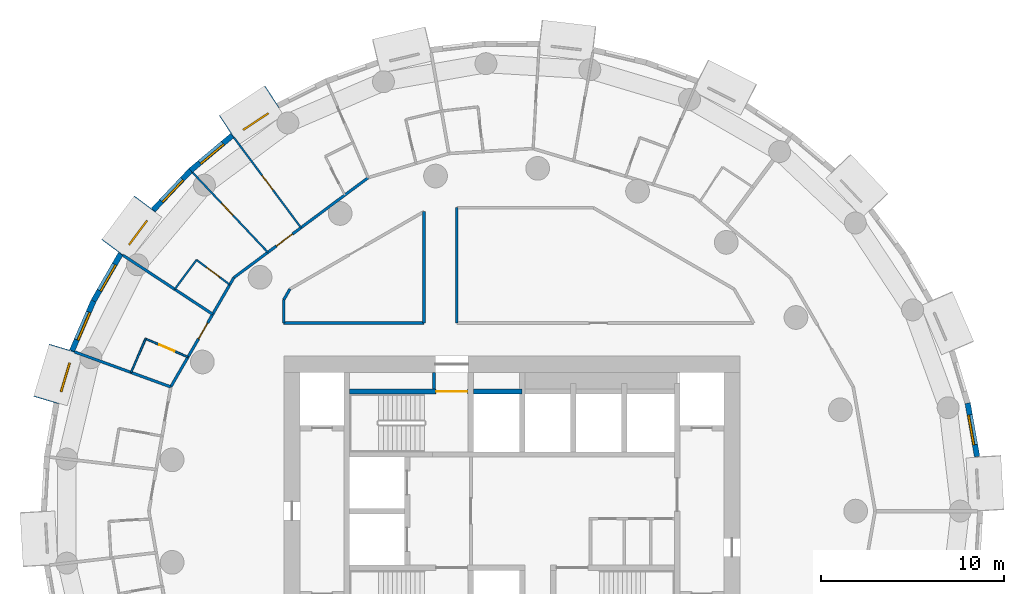
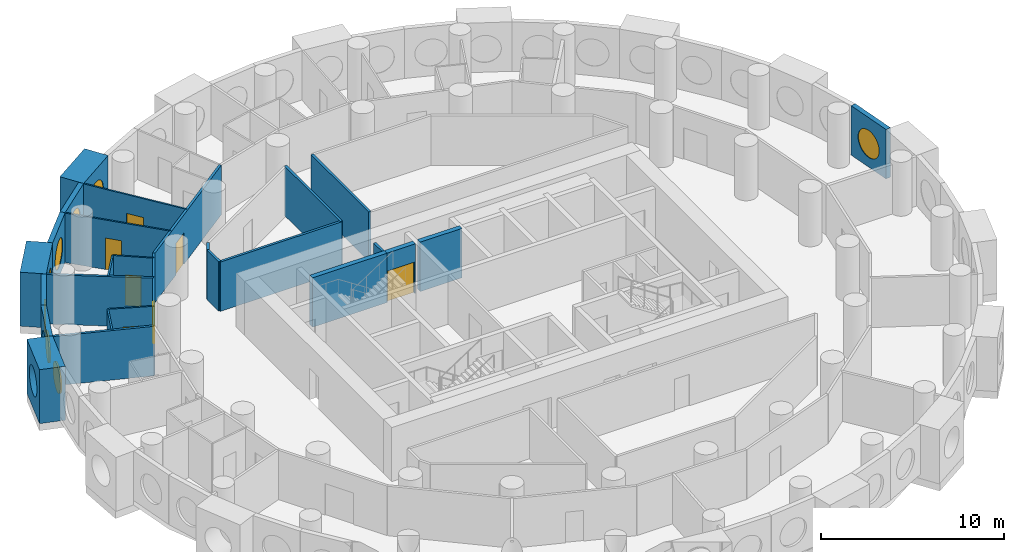
# One storey, part 6 of 10: 27 walls, 8 windows, 7 doors, 15 openings.
"""IFC4 building model written with IfcOpenShell, lengths in metres."""

import ifcopenshell
import ifcopenshell.guid

model = None  # the IFC model being written
_history = None  # IfcOwnerHistory: only IFC2X3 demands one
_inside = {}  # id of a spatial element -> (the spatial element, [elements in it])
_under = {}  # id of a project, library or spatial element -> (it, [spatial elements below it])
_declared = {}  # id of a project -> (the project, [libraries it declares])
_typed = {}  # id of a type object -> (the type object, [elements of that type])
_made_of = {}  # id of a material, layer set ... -> (it, [elements and type objects made of it])


def new_model(schema):
    """Start an empty IFC model of exactly this schema.

    Asked for "IFC4X3", IfcOpenShell would pick the latest addendum, in which some entities
    have other attributes; the version numbers below select the first issue.
    IFC2X3 requires an IfcOwnerHistory on every rooted entity: one is made here for all.
    """
    global model, _history
    if schema == "IFC4X3":
        model = ifcopenshell.file(schema_version=(4, 3, 0, 0))
    else:
        model = ifcopenshell.file(schema=schema)
    _inside.clear()
    _under.clear()
    _declared.clear()
    _typed.clear()
    _made_of.clear()
    _history = None
    if model.schema == "IFC2X3":
        org = make("IfcOrganization", Name="unknown")
        user = make(
            "IfcPersonAndOrganization",
            ThePerson=make("IfcPerson", FamilyName="unknown"),
            TheOrganization=org,
        )
        app = make(
            "IfcApplication",
            ApplicationDeveloper=org,
            Version="unknown",
            ApplicationFullName="unknown",
            ApplicationIdentifier="unknown",
        )
        _history = make(
            "IfcOwnerHistory",
            OwningUser=user,
            OwningApplication=app,
            ChangeAction="ADDED",
            CreationDate=0,
        )
    return model


def make(cls, **values):
    """One entity of the class cls with the attributes given. An attribute that is None is left unset."""
    return model.create_entity(
        cls, **{name: value for name, value in values.items() if value is not None}
    )


def rooted(cls, **values):
    """An entity with a GlobalId (a new one), such as an element, a storey or a relation."""
    return make(cls, GlobalId=ifcopenshell.guid.new(), OwnerHistory=_history, **values)


def si_unit(unit_type, name, prefix=None):
    """IfcSIUnit, for example si_unit("LENGTHUNIT", "METRE", prefix="MILLI")."""
    return make("IfcSIUnit", UnitType=unit_type, Prefix=prefix, Name=name)


def assignment(units):
    """IfcUnitAssignment: the units of a project."""
    return None if units is None else make("IfcUnitAssignment", Units=units)


def point(xyz):
    """IfcCartesianPoint."""
    return None if xyz is None else make("IfcCartesianPoint", Coordinates=xyz)


def direction(xyz):
    """IfcDirection."""
    return None if xyz is None else make("IfcDirection", DirectionRatios=xyz)


def frame(location, z_axis=None, x_axis=None):
    """IfcAxis2Placement3D, a coordinate frame: its origin and axes. An axis left out is left unset."""
    return make(
        "IfcAxis2Placement3D",
        Location=point(location),
        Axis=direction(z_axis),
        RefDirection=direction(x_axis),
    )


def frame_2d(location, x_axis=None):
    """IfcAxis2Placement2D, a coordinate frame in the plane: its origin and x axis."""
    return make(
        "IfcAxis2Placement2D", Location=point(location), RefDirection=direction(x_axis)
    )


def origin():
    """The frame at (0, 0, 0) with its axes left unset."""
    return frame((0.0, 0.0, 0.0))


def origin_2d():
    """The frame at (0, 0) in the plane with its x axis left unset."""
    return frame_2d((0.0, 0.0))


def place(relative_to, where):
    """IfcLocalPlacement: puts the frame where relative to a parent placement (None: the world)."""
    return make(
        "IfcLocalPlacement", PlacementRelTo=relative_to, RelativePlacement=where
    )


def context(
    kind, dimensions, precision=None, world=None, true_north=None, identifier=None
):
    """IfcGeometricRepresentationContext, for example the 3D "Model" context."""
    return make(
        "IfcGeometricRepresentationContext",
        ContextIdentifier=identifier,
        ContextType=kind,
        CoordinateSpaceDimension=dimensions,
        Precision=precision,
        WorldCoordinateSystem=world,
        TrueNorth=true_north,
    )


def subcontext(parent, identifier, kind, view, scale=None):
    """IfcGeometricRepresentationSubContext, for example "Body" below "Model"."""
    return make(
        "IfcGeometricRepresentationSubContext",
        ContextIdentifier=identifier,
        ContextType=kind,
        ParentContext=parent,
        TargetScale=scale,
        TargetView=view,
    )


def project(units=None, contexts=None):
    """IfcProject with its units and contexts."""
    return rooted(
        "IfcProject",
        Name="project",
        RepresentationContexts=contexts,
        UnitsInContext=assignment(units),
    )


def spatial(cls, under=None, at=None, **own):
    """A site, building, storey or space (cls), placed at a placement, below another one or the project."""
    s = rooted(cls, ObjectPlacement=at, **own)
    if under is not None:
        _under.setdefault(under.id(), (under, []))[1].append(s)
    return s


def profile(cls, at=None, kind="AREA", **sizes):
    """A parametric profile (cls). Its sizes go by their IFC names, for example OverallWidth=200.0."""
    return make(cls, ProfileType=kind, Position=at, **sizes)


def rectangle(**sizes):
    """IfcRectangleProfileDef."""
    return profile("IfcRectangleProfileDef", **sizes)


def circle(**sizes):
    """IfcCircleProfileDef."""
    return profile("IfcCircleProfileDef", **sizes)


def extrude(swept, where, along, depth):
    """IfcExtrudedAreaSolid: the profile swept, set in the frame where, extruded along a direction by depth."""
    return make(
        "IfcExtrudedAreaSolid",
        SweptArea=swept,
        Position=where,
        ExtrudedDirection=direction(along),
        Depth=depth,
    )


def shape(context_of_items, identifier, shape_type, items):
    """IfcShapeRepresentation: the items that make up one representation, for example the "Body"."""
    return make(
        "IfcShapeRepresentation",
        ContextOfItems=context_of_items,
        RepresentationIdentifier=identifier,
        RepresentationType=shape_type,
        Items=items,
    )


def material(Name=None, Category=None):
    """IfcMaterial."""
    return make("IfcMaterial", Name=Name, Category=Category)


def layer(
    of_material, thickness, ventilated=None, Name=None, Category=None, Priority=None
):
    """IfcMaterialLayer: one layer of a wall or slab, of a material (None: an air gap)."""
    return make(
        "IfcMaterialLayer",
        Material=of_material,
        LayerThickness=thickness,
        IsVentilated=ventilated,
        Name=Name,
        Category=Category,
        Priority=Priority,
    )


def layer_set(layers, Name=None):
    """IfcMaterialLayerSet."""
    return make("IfcMaterialLayerSet", MaterialLayers=layers, LayerSetName=Name)


def made_of(thing, what):
    """Note that an element or type object is made of a material, layer set ...; save() writes the relation."""
    if what is not None:
        _made_of.setdefault(what.id(), (what, []))[1].append(thing)
    return thing


def type_object(cls, material=None, **own):
    """A type object (cls), such as IfcWallType, which elements share."""
    return made_of(rooted(cls, **own), material)


def element(
    cls,
    number,
    at=None,
    inside=None,
    cuts=None,
    type_object=None,
    material=None,
    context=None,
    identifier="Body",
    shape_type=None,
    held_by="IfcProductDefinitionShape",
    body=None,
    shapes=None,
    **own,
):
    """One element of the class cls, such as IfcWall. Its Tag is "e" and its number.

    at: its placement. inside: the storey or other place that contains it. cuts: it is an
    opening in that element (IfcRelVoidsElement). A single representation is given by context,
    identifier, shape_type and body (its items); several are given by shapes. held_by: the class
    of the entity that holds the representations. save() writes the other relations.
    """
    e = rooted(cls, Tag="e%d" % number, ObjectPlacement=at, **own)
    if body is not None:
        shapes = [shape(context, identifier, shape_type, body)]
    if shapes is not None:
        e.Representation = make(held_by, Representations=shapes)
    if inside is not None:
        _inside.setdefault(inside.id(), (inside, []))[1].append(e)
    if cuts is not None:
        rooted(
            "IfcRelVoidsElement", RelatingBuildingElement=cuts, RelatedOpeningElement=e
        )
    if type_object is not None:
        _typed.setdefault(type_object.id(), (type_object, []))[1].append(e)
    return made_of(e, material)


def fill(opening, filler):
    """IfcRelFillsElement: the door or window that sits in an opening."""
    return rooted(
        "IfcRelFillsElement",
        RelatingOpeningElement=opening,
        RelatedBuildingElement=filler,
    )


def aggregate(whole, parts):
    """IfcRelAggregates: a whole, such as a stair, and the parts it consists of."""
    return rooted("IfcRelAggregates", RelatingObject=whole, RelatedObjects=parts)


def save(model, path):
    """Write the relations noted so far, then the file.

    IfcRelAggregates (storeys below a building ...), IfcRelContainedInSpatialStructure (elements
    in a storey), IfcRelDefinesByType, IfcRelAssociatesMaterial and IfcRelDeclares: one each for
    every whole, place, type object, material and project.
    """
    for whole, parts in _under.values():
        aggregate(whole, parts)
    for where, things in _inside.values():
        rooted(
            "IfcRelContainedInSpatialStructure",
            RelatedElements=things,
            RelatingStructure=where,
        )
    for kind, things in _typed.values():
        rooted("IfcRelDefinesByType", RelatedObjects=things, RelatingType=kind)
    for what, things in _made_of.values():
        rooted("IfcRelAssociatesMaterial", RelatedObjects=things, RelatingMaterial=what)
    for by, libraries in _declared.values():
        rooted("IfcRelDeclares", RelatingContext=by, RelatedDefinitions=libraries)
    model.write(path)


model = new_model("IFC4")

# Units and contexts
model_context = context("Model", 3, precision=1e-05, world=origin(), true_north=direction((0.0, 1.0)))
body_context = subcontext(model_context, "Body", "Model", "MODEL_VIEW")
ifc_project = project(units=[si_unit("LENGTHUNIT", "METRE"), si_unit("AREAUNIT", "SQUARE_METRE"), si_unit("VOLUMEUNIT", "CUBIC_METRE"), si_unit("PLANEANGLEUNIT", "RADIAN"), si_unit("MASSUNIT", "GRAM", prefix="KILO")], contexts=[model_context])

# Site, building, storey
site_placement = place(None, origin())
site = spatial("IfcSite", under=ifc_project, at=site_placement, CompositionType="ELEMENT")
building_placement = place(site_placement, origin())
building = spatial("IfcBuilding", under=site, at=building_placement, Name="Tracery Tower", CompositionType="ELEMENT")
storey_placement = place(building_placement, frame((0.0, 0.0, 140.39990234375)))
storey = spatial("IfcBuildingStorey", under=building, at=storey_placement, Name="L35", CompositionType="ELEMENT", Elevation=140.39990234375)

# Wall
ifc_material_1 = material(Name="Plasterboard on steel studs", Category="steel")
ifc_layer_1 = layer(ifc_material_1, 0.14990234375)
ifc_layer_set_1 = layer_set([ifc_layer_1], Name="Core room partition 150")
wall_type_1 = type_object("IfcWallType", Name="Core room partition 150", PredefinedType="SOLIDWALL", material=ifc_layer_set_1)
wall_1_placement = place(storey_placement, frame((-4.27490234375, 6.699951171875, 0.0), z_axis=(0.0, 0.0, 1.0), x_axis=(0.0, 1.0, 0.0)))
element("IfcWall", 1, at=wall_1_placement, inside=storey, type_object=wall_type_1, Name="L35 F N room", PredefinedType="SOLIDWALL", context=body_context, shape_type="SweptSolid", body=[
    extrude(rectangle(XDim=0.900146484375, YDim=0.14990234375, at=frame_2d((0.4501953125, 0.0))), origin(), (0.0, 0.0, 1.0), 3.300048828125),
])

# Wall, opening, window
ifc_material_2 = material(Name="Precast concrete C50/60", Category="concrete")
ifc_layer_2 = layer(ifc_material_2, 1.449951171875)
ifc_layer_set_2 = layer_set([ifc_layer_2], Name="Deep-set bay unit 3000 x 3600, slab edge 300")
wall_type_2 = type_object("IfcWallType", Name="Deep-set bay unit 3000 x 3600, slab edge 300", PredefinedType="ELEMENTEDWALL", material=ifc_layer_set_2)
wall_2_placement = place(storey_placement, frame((-13.13232421875, 22.696533203125, -0.2998046875), z_axis=(0.0, 0.0, 1.0), x_axis=(-0.835514416706, -0.549468524554, 0.0)))
wall_2 = element("IfcWall", 2, at=wall_2_placement, inside=storey, type_object=wall_type_2, Name="Deep-set bay unit 19 at L35", PredefinedType="ELEMENTEDWALL", context=body_context, shape_type="SweptSolid", body=[
    extrude(rectangle(XDim=3.0, YDim=1.449951171875, at=frame_2d((1.5, 0.0))), origin(), (0.0, 0.0, 1.0), 3.599853515625),
])
opening_1_placement = place(wall_2_placement, frame((1.5, 0.0, 1.85009765625)))
opening_1 = element("IfcOpeningElement", 3, at=opening_1_placement, cuts=wall_2, Name="Opening WN1", PredefinedType="OPENING", context=body_context, shape_type="SweptSolid", body=[
    extrude(circle(Radius=0.9000244140625, at=origin_2d()), frame((0.0, 0.73486328125, 0.0), z_axis=(0.0, -1.0, 0.0), x_axis=(1.0, 0.0, 0.0)), (0.0, 0.0, 1.0), 1.469970703125),
])
ifc_material_3 = material(Name="Aluminium frame with tinted double glazing", Category="aluminium")
window_type = type_object("IfcWindowType", Name="Round window 1800", PartitioningType="SINGLE_PANEL", PredefinedType="WINDOW", material=ifc_material_3)
window_1_placement = place(opening_1_placement, origin())
window_1 = element("IfcWindow", 4, at=window_1_placement, inside=storey, type_object=window_type, Name="Round window 19 at L35", OverallHeight=1.800048828125, OverallWidth=1.800048828125, PartitioningType="SINGLE_PANEL", PredefinedType="WINDOW", context=body_context, shape_type="SweptSolid", body=[
    extrude(circle(Radius=0.9000244140625, at=origin_2d()), frame((0.0, 0.69482421875, 0.0), z_axis=(0.0, -1.0, 0.0), x_axis=(1.0, 0.0, 0.0)), (0.0, 0.0, 1.0), 0.10009765625),
])
fill(opening_1, window_1)

wall_3_placement = place(storey_placement, frame((-20.10302734375, 16.836181640625, -0.2998046875), z_axis=(0.0, 0.0, 1.0), x_axis=(-0.597183717734, -0.802104486506, 0.0)))
wall_3 = element("IfcWall", 5, at=wall_3_placement, inside=storey, type_object=wall_type_2, Name="Deep-set bay unit 22 at L35", PredefinedType="ELEMENTEDWALL", context=body_context, shape_type="SweptSolid", body=[
    extrude(rectangle(XDim=3.0, YDim=1.449951171875, at=frame_2d((1.5, 0.0))), origin(), (0.0, 0.0, 1.0), 3.599853515625),
])
opening_2_placement = place(wall_3_placement, frame((1.5, 0.0, 1.85009765625)))
opening_2 = element("IfcOpeningElement", 6, at=opening_2_placement, cuts=wall_3, Name="Opening WN1", PredefinedType="OPENING", context=body_context, shape_type="SweptSolid", body=[
    extrude(circle(Radius=0.9000244140625, at=origin_2d()), frame((0.0, 0.73486328125, 0.0), z_axis=(0.0, -1.0, 0.0), x_axis=(1.0, 0.0, 0.0)), (0.0, 0.0, 1.0), 1.469970703125),
])
window_2_placement = place(opening_2_placement, origin())
window_2 = element("IfcWindow", 7, at=window_2_placement, inside=storey, type_object=window_type, Name="Round window 22 at L35", OverallHeight=1.800048828125, OverallWidth=1.800048828125, PartitioningType="SINGLE_PANEL", PredefinedType="WINDOW", context=body_context, shape_type="SweptSolid", body=[
    extrude(circle(Radius=0.9000244140625, at=origin_2d()), frame((0.0, 0.69482421875, 0.0), z_axis=(0.0, -1.0, 0.0), x_axis=(1.0, 0.0, 0.0)), (0.0, 0.0, 1.0), 0.10009765625),
])
fill(opening_2, window_2)

wall_4_placement = place(storey_placement, frame((-24.649169921875, 8.9453125, -0.2998046875), z_axis=(0.0, 0.0, 1.0), x_axis=(-0.286780420304, -0.957996341606, 0.0)))
wall_4 = element("IfcWall", 8, at=wall_4_placement, inside=storey, type_object=wall_type_2, Name="Deep-set bay unit 25 at L35", PredefinedType="ELEMENTEDWALL", context=body_context, shape_type="SweptSolid", body=[
    extrude(rectangle(XDim=3.0, YDim=1.449951171875, at=frame_2d((1.5, 0.0))), origin(), (0.0, 0.0, 1.0), 3.599853515625),
])
opening_3_placement = place(wall_4_placement, frame((1.5, 0.0, 1.85009765625)))
opening_3 = element("IfcOpeningElement", 9, at=opening_3_placement, cuts=wall_4, Name="Opening WN1", PredefinedType="OPENING", context=body_context, shape_type="SweptSolid", body=[
    extrude(circle(Radius=0.9000244140625, at=origin_2d()), frame((0.0, 0.73486328125, 0.0), z_axis=(0.0, -1.0, 0.0), x_axis=(1.0, 0.0, 0.0)), (0.0, 0.0, 1.0), 1.469970703125),
])
window_3_placement = place(opening_3_placement, origin())
window_3 = element("IfcWindow", 10, at=window_3_placement, inside=storey, type_object=window_type, Name="Round window 25 at L35", OverallHeight=1.800048828125, OverallWidth=1.800048828125, PartitioningType="SINGLE_PANEL", PredefinedType="WINDOW", context=body_context, shape_type="SweptSolid", body=[
    extrude(circle(Radius=0.9000244140625, at=origin_2d()), frame((0.0, 0.69482421875, 0.0), z_axis=(0.0, -1.0, 0.0), x_axis=(1.0, 0.0, 0.0)), (0.0, 0.0, 1.0), 0.10009765625),
])
fill(opening_3, window_3)

ifc_material_4 = material(Name="Precast concrete C50/60", Category="concrete")
ifc_layer_3 = layer(ifc_material_4, 0.300048828125)
ifc_layer_set_3 = layer_set([ifc_layer_3], Name="Facade panel 3000 x 3300")
wall_type_3 = type_object("IfcWallType", Name="Facade panel 3000 x 3300", PredefinedType="SOLIDWALL", material=ifc_layer_set_3)
wall_5_placement = place(storey_placement, frame((25.472412109375, 2.987060546875, 0.0), z_axis=(0.0, 0.0, 1.0), x_axis=(-0.173686952598, 0.984800915159, 0.0)))
wall_5 = element("IfcWall", 11, at=wall_5_placement, inside=storey, type_object=wall_type_3, Name="Facade panel 2 at L35", PredefinedType="SOLIDWALL", context=body_context, shape_type="SweptSolid", body=[
    extrude(rectangle(XDim=2.972900390625, YDim=0.300048828125, at=frame_2d((1.486328125, 0.0))), origin(), (0.0, 0.0, 1.0), 3.300048828125),
])
opening_4_placement = place(wall_5_placement, frame((1.486328125, 0.0, 1.5498046875)))
opening_4 = element("IfcOpeningElement", 12, at=opening_4_placement, cuts=wall_5, Name="Opening WN1", PredefinedType="OPENING", context=body_context, shape_type="SweptSolid", body=[
    extrude(circle(Radius=0.9000244140625, at=origin_2d()), frame((0.0, 0.159912109375, 0.0), z_axis=(0.0, -1.0, 0.0), x_axis=(1.0, 0.0, 0.0)), (0.0, 0.0, 1.0), 0.320068359375),
])
window_4_placement = place(opening_4_placement, origin())
window_4 = element("IfcWindow", 13, at=window_4_placement, inside=storey, type_object=window_type, Name="Round window 2 at L35", OverallHeight=1.800048828125, OverallWidth=1.800048828125, PartitioningType="SINGLE_PANEL", PredefinedType="WINDOW", context=body_context, shape_type="SweptSolid", body=[
    extrude(circle(Radius=0.9000244140625, at=origin_2d()), frame((0.0, 0.1201171875, 0.0), z_axis=(0.0, -1.0, 0.0), x_axis=(1.0, 0.0, 0.0)), (0.0, 0.0, 1.0), 0.10009765625),
])
fill(opening_4, window_4)

wall_6_placement = place(storey_placement, frame((-15.322998046875, 20.566162109375, 0.0), z_axis=(0.0, 0.0, 1.0), x_axis=(-0.766049350637, -0.642781761089, 0.0)))
wall_6 = element("IfcWall", 14, at=wall_6_placement, inside=storey, type_object=wall_type_3, Name="Facade panel 20 at L35", PredefinedType="SOLIDWALL", context=body_context, shape_type="SweptSolid", body=[
    extrude(rectangle(XDim=2.972900390625, YDim=0.300048828125, at=frame_2d((1.486328125, 0.0))), origin(), (0.0, 0.0, 1.0), 3.300048828125),
])
opening_5_placement = place(wall_6_placement, frame((1.486328125, 0.0, 1.5498046875)))
opening_5 = element("IfcOpeningElement", 15, at=opening_5_placement, cuts=wall_6, Name="Opening WN1", PredefinedType="OPENING", context=body_context, shape_type="SweptSolid", body=[
    extrude(circle(Radius=0.9000244140625, at=origin_2d()), frame((0.0, 0.159912109375, 0.0), z_axis=(0.0, -1.0, 0.0), x_axis=(1.0, 0.0, 0.0)), (0.0, 0.0, 1.0), 0.320068359375),
])
window_5_placement = place(opening_5_placement, origin())
window_5 = element("IfcWindow", 16, at=window_5_placement, inside=storey, type_object=window_type, Name="Round window 20 at L35", OverallHeight=1.800048828125, OverallWidth=1.800048828125, PartitioningType="SINGLE_PANEL", PredefinedType="WINDOW", context=body_context, shape_type="SweptSolid", body=[
    extrude(circle(Radius=0.9000244140625, at=origin_2d()), frame((0.0, 0.1201171875, 0.0), z_axis=(0.0, -1.0, 0.0), x_axis=(1.0, 0.0, 0.0)), (0.0, 0.0, 1.0), 0.10009765625),
])
fill(opening_5, window_5)

wall_7_placement = place(storey_placement, frame((-17.600341796875, 18.6552734375, 0.0), z_axis=(0.0, 0.0, 1.0), x_axis=(-0.686235184166, -0.727379730273, 0.0)))
wall_7 = element("IfcWall", 17, at=wall_7_placement, inside=storey, type_object=wall_type_3, Name="Facade panel 21 at L35", PredefinedType="SOLIDWALL", context=body_context, shape_type="SweptSolid", body=[
    extrude(rectangle(XDim=2.972900390625, YDim=0.300048828125, at=frame_2d((1.486328125, 0.0))), origin(), (0.0, 0.0, 1.0), 3.300048828125),
])
opening_6_placement = place(wall_7_placement, frame((1.486328125, 0.0, 1.5498046875)))
opening_6 = element("IfcOpeningElement", 18, at=opening_6_placement, cuts=wall_7, Name="Opening WN1", PredefinedType="OPENING", context=body_context, shape_type="SweptSolid", body=[
    extrude(circle(Radius=0.9000244140625, at=origin_2d()), frame((0.0, 0.159912109375, 0.0), z_axis=(0.0, -1.0, 0.0), x_axis=(1.0, 0.0, 0.0)), (0.0, 0.0, 1.0), 0.320068359375),
])
window_6_placement = place(opening_6_placement, origin())
window_6 = element("IfcWindow", 19, at=window_6_placement, inside=storey, type_object=window_type, Name="Round window 21 at L35", OverallHeight=1.800048828125, OverallWidth=1.800048828125, PartitioningType="SINGLE_PANEL", PredefinedType="WINDOW", context=body_context, shape_type="SweptSolid", body=[
    extrude(circle(Radius=0.9000244140625, at=origin_2d()), frame((0.0, 0.1201171875, 0.0), z_axis=(0.0, -1.0, 0.0), x_axis=(1.0, 0.0, 0.0)), (0.0, 0.0, 1.0), 0.10009765625),
])
fill(opening_6, window_6)

wall_8_placement = place(storey_placement, frame((-21.432861328125, 14.085205078125, 0.0), z_axis=(0.0, 0.0, 1.0), x_axis=(-0.500016263033, -0.866016014115, 0.0)))
wall_8 = element("IfcWall", 20, at=wall_8_placement, inside=storey, type_object=wall_type_3, Name="Facade panel 23 at L35", PredefinedType="SOLIDWALL", context=body_context, shape_type="SweptSolid", body=[
    extrude(rectangle(XDim=2.97314453125, YDim=0.300048828125, at=frame_2d((1.486572265625, 0.0))), origin(), (0.0, 0.0, 1.0), 3.300048828125),
])
opening_7_placement = place(wall_8_placement, frame((1.486328125, 0.0, 1.5498046875)))
opening_7 = element("IfcOpeningElement", 21, at=opening_7_placement, cuts=wall_8, Name="Opening WN1", PredefinedType="OPENING", context=body_context, shape_type="SweptSolid", body=[
    extrude(circle(Radius=0.9000244140625, at=origin_2d()), frame((0.0, 0.159912109375, 0.0), z_axis=(0.0, -1.0, 0.0), x_axis=(1.0, 0.0, 0.0)), (0.0, 0.0, 1.0), 0.320068359375),
])
window_7_placement = place(opening_7_placement, origin())
window_7 = element("IfcWindow", 22, at=window_7_placement, inside=storey, type_object=window_type, Name="Round window 23 at L35", OverallHeight=1.800048828125, OverallWidth=1.800048828125, PartitioningType="SINGLE_PANEL", PredefinedType="WINDOW", context=body_context, shape_type="SweptSolid", body=[
    extrude(circle(Radius=0.9000244140625, at=origin_2d()), frame((0.0, 0.1201171875, 0.0), z_axis=(0.0, -1.0, 0.0), x_axis=(1.0, 0.0, 0.0)), (0.0, 0.0, 1.0), 0.10009765625),
])
fill(opening_7, window_7)

wall_9_placement = place(storey_placement, frame((-22.91943359375, 11.510498046875, 0.0), z_axis=(0.0, 0.0, 1.0), x_axis=(-0.396078892785, -0.918216483565, 0.0)))
wall_9 = element("IfcWall", 23, at=wall_9_placement, inside=storey, type_object=wall_type_3, Name="Facade panel 24 at L35", PredefinedType="SOLIDWALL", context=body_context, shape_type="SweptSolid", body=[
    extrude(rectangle(XDim=2.972900390625, YDim=0.300048828125, at=frame_2d((1.486328125, 0.0))), origin(), (0.0, 0.0, 1.0), 3.300048828125),
])
opening_8_placement = place(wall_9_placement, frame((1.486328125, 0.0, 1.5498046875)))
opening_8 = element("IfcOpeningElement", 24, at=opening_8_placement, cuts=wall_9, Name="Opening WN1", PredefinedType="OPENING", context=body_context, shape_type="SweptSolid", body=[
    extrude(circle(Radius=0.9000244140625, at=origin_2d()), frame((0.0, 0.159912109375, 0.0), z_axis=(0.0, -1.0, 0.0), x_axis=(1.0, 0.0, 0.0)), (0.0, 0.0, 1.0), 0.320068359375),
])
window_8_placement = place(opening_8_placement, origin())
window_8 = element("IfcWindow", 25, at=window_8_placement, inside=storey, type_object=window_type, Name="Round window 24 at L35", OverallHeight=1.800048828125, OverallWidth=1.800048828125, PartitioningType="SINGLE_PANEL", PredefinedType="WINDOW", context=body_context, shape_type="SweptSolid", body=[
    extrude(circle(Radius=0.9000244140625, at=origin_2d()), frame((0.0, 0.1201171875, 0.0), z_axis=(0.0, -1.0, 0.0), x_axis=(1.0, 0.0, 0.0)), (0.0, 0.0, 1.0), 0.10009765625),
])
fill(opening_8, window_8)

# Wall, opening, door
ifc_material_5 = material(Name="Plasterboard on steel studs", Category="steel")
ifc_layer_4 = layer(ifc_material_5, 0.10009765625)
ifc_layer_set_4 = layer_set([ifc_layer_4], Name="Partition 100 stud")
wall_type_4 = type_object("IfcWallType", Name="Partition 100 stud", PredefinedType="PARTITIONING", material=ifc_layer_set_4)
wall_10_placement = place(storey_placement, frame((-15.22607421875, 20.451904296875, 0.0), z_axis=(0.0, 0.0, 1.0), x_axis=(0.597155230642, -0.802125694961, 0.0)))
wall_10 = element("IfcWall", 26, at=wall_10_placement, inside=storey, type_object=wall_type_4, Name="Stud partition RB2-053", PredefinedType="PARTITIONING", context=body_context, shape_type="SweptSolid", body=[
    extrude(rectangle(XDim=6.14599609375, YDim=0.10009765625, at=frame_2d((3.072998046875, 0.0))), origin(), (0.0, 0.0, 1.0), 3.300048828125),
])
opening_9_placement = place(wall_10_placement, frame((2.572998046875, 0.0, 0.0)))
opening_9 = element("IfcOpeningElement", 27, at=opening_9_placement, cuts=wall_10, Name="Opening RB2-14", PredefinedType="OPENING", context=body_context, shape_type="SweptSolid", body=[
    extrude(rectangle(XDim=1.0, YDim=2.0400390625, at=frame_2d((0.5, 1.02001953125))), frame((0.0, 0.050048828125, 0.0), z_axis=(0.0, -1.0, 0.0), x_axis=(1.0, 0.0, 0.0)), (0.0, 0.0, 1.0), 0.10009765625),
])
ifc_material_6 = material(Name="Timber door leaf", Category="wood")
door_type_1 = type_object("IfcDoorType", Name="Door communal room 1000", OperationType="NOTDEFINED", PredefinedType="DOOR", material=ifc_material_6)
door_1_placement = place(opening_9_placement, origin())
door_1 = element("IfcDoor", 28, at=door_1_placement, inside=storey, type_object=door_type_1, Name="Communal room door RB2-14", OperationType="SINGLE_SWING_LEFT", OverallHeight=2.0400390625, OverallWidth=1.0, PredefinedType="DOOR", context=body_context, shape_type="SweptSolid", body=[
    extrude(rectangle(XDim=1.0, YDim=2.0400390625, at=frame_2d((0.5, 1.02001953125))), frame((0.0, 0.02490234375, 0.0), z_axis=(0.0, -1.0, 0.0), x_axis=(1.0, 0.0, 0.0)), (0.0, 0.0, 1.0), 0.050048828125),
])
fill(opening_9, door_1)

wall_11_placement = place(storey_placement, frame((-17.4970703125, 18.5458984375, 0.0), z_axis=(0.0, 0.0, 1.0), x_axis=(0.68628608304, -0.72733170715, 0.0)))
wall_11 = element("IfcWall", 29, at=wall_11_placement, inside=storey, type_object=wall_type_4, Name="Stud partition RB2-057", PredefinedType="PARTITIONING", context=body_context, shape_type="SweptSolid", body=[
    extrude(rectangle(XDim=6.013427734375, YDim=0.10009765625, at=frame_2d((3.0068359375, 0.0))), origin(), (0.0, 0.0, 1.0), 3.300048828125),
])
opening_10_placement = place(wall_11_placement, frame((2.32080078125, 0.0, 0.0)))
opening_10 = element("IfcOpeningElement", 30, at=opening_10_placement, cuts=wall_11, Name="Opening RB2-18", PredefinedType="OPENING", context=body_context, shape_type="SweptSolid", body=[
    extrude(rectangle(XDim=0.89990234375, YDim=2.10009765625, at=frame_2d((0.449951171875, 1.050048828125))), frame((0.0, 0.050048828125, 0.0), z_axis=(0.0, -1.0, 0.0), x_axis=(1.0, 0.0, 0.0)), (0.0, 0.0, 1.0), 0.10009765625),
])
ifc_material_7 = material(Name="Timber door leaf", Category="wood")
door_type_2 = type_object("IfcDoorType", Name="Door bedroom 900", OperationType="NOTDEFINED", PredefinedType="DOOR", material=ifc_material_7)
door_2_placement = place(opening_10_placement, origin())
door_2 = element("IfcDoor", 31, at=door_2_placement, inside=storey, type_object=door_type_2, Name="Bedroom door RB2-18", OperationType="SINGLE_SWING_RIGHT", OverallHeight=2.10009765625, OverallWidth=0.89990234375, PredefinedType="DOOR", context=body_context, shape_type="SweptSolid", body=[
    extrude(rectangle(XDim=0.89990234375, YDim=2.10009765625, at=frame_2d((0.449951171875, 1.050048828125))), frame((0.0, 0.02490234375, 0.0), z_axis=(0.0, -1.0, 0.0), x_axis=(1.0, 0.0, 0.0)), (0.0, 0.0, 1.0), 0.050048828125),
])
fill(opening_10, door_2)

ifc_material_8 = material(Name="Plasterboard on steel studs", Category="steel")
ifc_layer_5 = layer(ifc_material_8, 0.10009765625)
ifc_layer_set_5 = layer_set([ifc_layer_5], Name="Partition 100 wet wall")
wall_type_5 = type_object("IfcWallType", Name="Partition 100 wet wall", PredefinedType="PARTITIONING", material=ifc_layer_set_5)
wall_12_placement = place(storey_placement, frame((-17.278076171875, 13.757080078125, 0.0), z_axis=(0.0, 0.0, 1.0), x_axis=(0.802174554185, -0.597089595135, 0.0)))
wall_12 = element("IfcWall", 32, at=wall_12_placement, inside=storey, type_object=wall_type_5, Name="Wet wall RB2-061", PredefinedType="PARTITIONING", context=body_context, shape_type="SweptSolid", body=[
    extrude(rectangle(XDim=2.271240234375, YDim=0.10009765625, at=frame_2d((1.1357421875, 0.0))), origin(), (0.0, 0.0, 1.0), 3.300048828125),
])
opening_11_placement = place(wall_12_placement, frame((0.685302734375, 0.0, 0.0)))
opening_11 = element("IfcOpeningElement", 33, at=opening_11_placement, cuts=wall_12, Name="Opening RB2-19", PredefinedType="OPENING", context=body_context, shape_type="SweptSolid", body=[
    extrude(rectangle(XDim=0.89990234375, YDim=2.0400390625, at=frame_2d((0.449951171875, 1.02001953125))), frame((0.0, 0.050048828125, 0.0), z_axis=(0.0, -1.0, 0.0), x_axis=(1.0, 0.0, 0.0)), (0.0, 0.0, 1.0), 0.10009765625),
])
ifc_material_9 = material(Name="Timber door leaf", Category="wood")
door_type_3 = type_object("IfcDoorType", Name="Door en-suite 900", OperationType="NOTDEFINED", PredefinedType="DOOR", material=ifc_material_9)
door_3_placement = place(opening_11_placement, origin())
door_3 = element("IfcDoor", 34, at=door_3_placement, inside=storey, type_object=door_type_3, Name="En-suite door RB2-19", OperationType="SINGLE_SWING_RIGHT", OverallHeight=2.0400390625, OverallWidth=0.89990234375, PredefinedType="DOOR", context=body_context, shape_type="SweptSolid", body=[
    extrude(rectangle(XDim=0.89990234375, YDim=2.0400390625, at=frame_2d((0.449951171875, 1.02001953125))), frame((0.0, 0.02490234375, 0.0), z_axis=(0.0, -1.0, 0.0), x_axis=(1.0, 0.0, 0.0)), (0.0, 0.0, 1.0), 0.050048828125),
])
fill(opening_11, door_3)

# Wall
wall_13_placement = place(storey_placement, frame((-18.47412109375, 12.15087890625, 0.0), z_axis=(0.0, 0.0, 1.0), x_axis=(0.597246123016, 0.802058020683, 0.0)))
element("IfcWall", 35, at=wall_13_placement, inside=storey, type_object=wall_type_5, Name="Wet wall RB2-062", PredefinedType="PARTITIONING", context=body_context, shape_type="SweptSolid", body=[
    extrude(rectangle(XDim=2.002685546875, YDim=0.10009765625, at=frame_2d((1.00146484375, 0.0))), origin(), (0.0, 0.0, 1.0), 3.300048828125),
])

# Wall, opening, door
wall_14_placement = place(storey_placement, frame((-20.06689453125, 9.43701171875, 0.0), z_axis=(0.0, 0.0, 1.0), x_axis=(0.918293825202, -0.395899546091, 0.0)))
wall_14 = element("IfcWall", 36, at=wall_14_placement, inside=storey, type_object=wall_type_5, Name="Wet wall RB2-064", PredefinedType="PARTITIONING", context=body_context, shape_type="SweptSolid", body=[
    extrude(rectangle(XDim=2.5283203125, YDim=0.10009765625, at=frame_2d((1.26416015625, 0.0))), origin(), (0.0, 0.0, 1.0), 3.300048828125),
])
opening_12_placement = place(wall_14_placement, frame((0.814697265625, 0.0, 0.0)))
opening_12 = element("IfcOpeningElement", 37, at=opening_12_placement, cuts=wall_14, Name="Opening RB2-20", PredefinedType="OPENING", context=body_context, shape_type="SweptSolid", body=[
    extrude(rectangle(XDim=0.89990234375, YDim=2.0400390625, at=frame_2d((0.449951171875, 1.02001953125))), frame((0.0, 0.050048828125, 0.0), z_axis=(0.0, -1.0, 0.0), x_axis=(1.0, 0.0, 0.0)), (0.0, 0.0, 1.0), 0.10009765625),
])
door_4_placement = place(opening_12_placement, origin())
door_4 = element("IfcDoor", 38, at=door_4_placement, inside=storey, type_object=door_type_3, Name="En-suite door RB2-20", OperationType="SINGLE_SWING_LEFT", OverallHeight=2.0400390625, OverallWidth=0.89990234375, PredefinedType="DOOR", context=body_context, shape_type="SweptSolid", body=[
    extrude(rectangle(XDim=0.89990234375, YDim=2.0400390625, at=frame_2d((0.449951171875, 1.02001953125))), frame((0.0, 0.02490234375, 0.0), z_axis=(0.0, -1.0, 0.0), x_axis=(1.0, 0.0, 0.0)), (0.0, 0.0, 1.0), 0.050048828125),
])
fill(opening_12, door_4)

# Walls
wall_15_placement = place(storey_placement, frame((-20.862060546875, 7.593017578125, 0.0), z_axis=(0.0, 0.0, 1.0), x_axis=(0.395972527348, 0.918262357709, 0.0)))
element("IfcWall", 39, at=wall_15_placement, inside=storey, type_object=wall_type_5, Name="Wet wall RB2-065", PredefinedType="PARTITIONING", context=body_context, shape_type="SweptSolid", body=[
    extrude(rectangle(XDim=2.008056640625, YDim=0.10009765625, at=frame_2d((1.00390625, 0.0))), origin(), (0.0, 0.0, 1.0), 3.300048828125),
])
ifc_material_10 = material(Name="Plasterboard on steel studs", Category="steel")
ifc_layer_6 = layer(ifc_material_10, 0.14990234375)
ifc_layer_set_6 = layer_set([ifc_layer_6], Name="Partition 150 acoustic unit wall")
wall_type_6 = type_object("IfcWallType", Name="Partition 150 acoustic unit wall", PredefinedType="PARTITIONING", material=ifc_layer_set_6)
wall_16_placement = place(storey_placement, frame((-21.302978515625, 14.010986328125, 0.0), z_axis=(0.0, 0.0, 1.0), x_axis=(0.835566588395, -0.549389184785, 0.0)))
element("IfcWall", 40, at=wall_16_placement, inside=storey, type_object=wall_type_6, Name="Unit wall RB2-063", PredefinedType="PARTITIONING", context=body_context, shape_type="SweptSolid", body=[
    extrude(rectangle(XDim=5.878662109375, YDim=0.14990234375, at=frame_2d((2.939453125, 0.0))), origin(), (0.0, 0.0, 1.0), 3.300048828125),
])
wall_17_placement = place(storey_placement, frame((-23.9599609375, 8.720947265625, 0.0), z_axis=(0.0, 0.0, 1.0), x_axis=(0.939653583607, -0.342127378054, 0.0)))
element("IfcWall", 41, at=wall_17_placement, inside=storey, type_object=wall_type_6, Name="Unit wall RB2-066", PredefinedType="PARTITIONING", context=body_context, shape_type="SweptSolid", body=[
    extrude(rectangle(XDim=5.6103515625, YDim=0.14990234375, at=frame_2d((2.80517578125, 0.0))), origin(), (0.0, 0.0, 1.0), 3.300048828125),
])
ifc_material_11 = material(Name="Plasterboard on steel studs", Category="steel")
ifc_layer_7 = layer(ifc_material_11, 0.14990234375)
ifc_layer_set_7 = layer_set([ifc_layer_7], Name="Partition 150 corridor wall")
wall_type_7 = type_object("IfcWallType", Name="Partition 150 corridor wall", PredefinedType="PARTITIONING", material=ifc_layer_set_7)
wall_18_placement = place(storey_placement, frame((-12.50390625, 10.300048828125, 0.0), z_axis=(0.0, 0.0, 1.0), x_axis=(1.0, 0.0, 0.0)))
element("IfcWall", 42, at=wall_18_placement, inside=storey, type_object=wall_type_7, Name="Corridor wall RB2-001", PredefinedType="PARTITIONING", context=body_context, shape_type="SweptSolid", body=[
    extrude(rectangle(XDim=7.68701171875, YDim=0.14990234375, at=frame_2d((3.843505859375, 0.0))), origin(), (0.0, 0.0, 1.0), 3.300048828125),
])
wall_19_placement = place(storey_placement, frame((-4.821044921875, 10.300048828125, 0.0), z_axis=(0.0, 0.0, 1.0), x_axis=(0.0, 1.0, 0.0)))
element("IfcWall", 43, at=wall_19_placement, inside=storey, type_object=wall_type_7, Name="Corridor wall RB2-013", PredefinedType="PARTITIONING", context=body_context, shape_type="SweptSolid", body=[
    extrude(rectangle(XDim=6.100830078125, YDim=0.14990234375, at=frame_2d((3.05029296875, 0.0))), origin(), (0.0, 0.0, 1.0), 3.300048828125),
])
wall_20_placement = place(storey_placement, frame((-3.02099609375, 10.300048828125, 0.0), z_axis=(0.0, 0.0, 1.0), x_axis=(0.0, 1.0, 0.0)))
element("IfcWall", 44, at=wall_20_placement, inside=storey, type_object=wall_type_7, Name="Corridor wall RB2-017", PredefinedType="PARTITIONING", context=body_context, shape_type="SweptSolid", body=[
    extrude(rectangle(XDim=6.31396484375, YDim=0.14990234375, at=frame_2d((3.156982421875, 0.0))), origin(), (0.0, 0.0, 1.0), 3.300048828125),
])

# Wall, opening, door
wall_21_placement = place(storey_placement, frame((-15.235107421875, 12.7841796875, 0.0), z_axis=(0.0, 0.0, 1.0), x_axis=(0.802226995744, 0.597019134785, 0.0)))
wall_21 = element("IfcWall", 45, at=wall_21_placement, inside=storey, type_object=wall_type_7, Name="Corridor wall RB2-020", PredefinedType="PARTITIONING", context=body_context, shape_type="SweptSolid", body=[
    extrude(rectangle(XDim=9.1728515625, YDim=0.14990234375, at=frame_2d((4.58642578125, 0.0))), origin(), (0.0, 0.0, 1.0), 3.300048828125),
])
opening_13_placement = place(wall_21_placement, frame((2.905517578125, 0.0, 0.0)))
opening_13 = element("IfcOpeningElement", 46, at=opening_13_placement, cuts=wall_21, Name="Opening RB2-13", PredefinedType="OPENING", context=body_context, shape_type="SweptSolid", body=[
    extrude(rectangle(XDim=1.10009765625, YDim=2.10009765625, at=frame_2d((0.550048828125, 1.050048828125))), frame((0.0, 0.074951171875, 0.0), z_axis=(0.0, -1.0, 0.0), x_axis=(1.0, 0.0, 0.0)), (0.0, 0.0, 1.0), 0.14990234375),
])
ifc_material_12 = material(Name="Timber door leaf", Category="wood")
door_type_4 = type_object("IfcDoorType", Name="Door cluster entrance 1100", OperationType="NOTDEFINED", PredefinedType="DOOR", material=ifc_material_12)
door_5_placement = place(opening_13_placement, origin())
door_5 = element("IfcDoor", 47, at=door_5_placement, inside=storey, type_object=door_type_4, Name="Cluster entrance door RB2-13", OperationType="SINGLE_SWING_RIGHT", OverallHeight=2.10009765625, OverallWidth=1.10009765625, PredefinedType="DOOR", context=body_context, shape_type="SweptSolid", body=[
    extrude(rectangle(XDim=1.10009765625, YDim=2.10009765625, at=frame_2d((0.550048828125, 1.050048828125))), frame((0.0, 0.02490234375, 0.0), z_axis=(0.0, -1.0, 0.0), x_axis=(1.0, 0.0, 0.0)), (0.0, 0.0, 1.0), 0.050048828125),
])
fill(opening_13, door_5)

# Walls
wall_22_placement = place(storey_placement, frame((-12.5, 11.576904296875, 0.0), z_axis=(0.0, 0.0, 1.0), x_axis=(0.500024767483, 0.866011103799, 0.0)))
element("IfcWall", 48, at=wall_22_placement, inside=storey, type_object=wall_type_7, Name="Corridor wall RB2-022", PredefinedType="PARTITIONING", context=body_context, shape_type="SweptSolid", body=[
    extrude(rectangle(XDim=0.67578125, YDim=0.14990234375, at=frame_2d((0.337890625, 0.0))), origin(), (0.0, 0.0, 1.0), 3.300048828125),
])
wall_23_placement = place(storey_placement, frame((-12.5, 10.300048828125, 0.0), z_axis=(0.0, 0.0, 1.0), x_axis=(0.0, 1.0, 0.0)))
element("IfcWall", 49, at=wall_23_placement, inside=storey, type_object=wall_type_7, Name="Corridor wall RB2-023", PredefinedType="PARTITIONING", context=body_context, shape_type="SweptSolid", body=[
    extrude(rectangle(XDim=1.27685546875, YDim=0.14990234375, at=frame_2d((0.638427734375, 0.0))), origin(), (0.0, 0.0, 1.0), 3.300048828125),
])

# Wall, opening, door
wall_24_placement = place(storey_placement, frame((-18.690185546875, 6.80322265625, 0.0), z_axis=(0.0, 0.0, 1.0), x_axis=(0.500229307554, 0.865892972523, 0.0)))
wall_24 = element("IfcWall", 50, at=wall_24_placement, inside=storey, type_object=wall_type_7, Name="Corridor wall RB2-026", PredefinedType="PARTITIONING", context=body_context, shape_type="SweptSolid", body=[
    extrude(rectangle(XDim=6.906982421875, YDim=0.14990234375, at=frame_2d((3.45361328125, 0.0))), origin(), (0.0, 0.0, 1.0), 3.300048828125),
])
opening_14_placement = place(wall_24_placement, frame((3.0400390625, 0.0, 0.0)))
opening_14 = element("IfcOpeningElement", 51, at=opening_14_placement, cuts=wall_24, Name="Opening RB2-21", PredefinedType="OPENING", context=body_context, shape_type="SweptSolid", body=[
    extrude(rectangle(XDim=1.0, YDim=2.10009765625, at=frame_2d((0.5, 1.050048828125))), frame((0.0, 0.074951171875, 0.0), z_axis=(0.0, -1.0, 0.0), x_axis=(1.0, 0.0, 0.0)), (0.0, 0.0, 1.0), 0.14990234375),
])
ifc_material_13 = material(Name="Timber door leaf", Category="wood")
door_type_5 = type_object("IfcDoorType", Name="Door unit entrance 1000", OperationType="NOTDEFINED", PredefinedType="DOOR", material=ifc_material_13)
door_6_placement = place(opening_14_placement, origin())
door_6 = element("IfcDoor", 52, at=door_6_placement, inside=storey, type_object=door_type_5, Name="Unit entrance door RB2-21", OperationType="SINGLE_SWING_RIGHT", OverallHeight=2.10009765625, OverallWidth=1.0, PredefinedType="DOOR", context=body_context, shape_type="SweptSolid", body=[
    extrude(rectangle(XDim=1.0, YDim=2.10009765625, at=frame_2d((0.5, 1.050048828125))), frame((0.0, 0.02490234375, 0.0), z_axis=(0.0, -1.0, 0.0), x_axis=(1.0, 0.0, 0.0)), (0.0, 0.0, 1.0), 0.050048828125),
])
fill(opening_14, door_6)

# Wall
ifc_material_14 = material(Name="Concrete C50/60", Category="concrete")
ifc_layer_8 = layer(ifc_material_14, 0.300048828125)
ifc_layer_set_8 = layer_set([ifc_layer_8], Name="Stair wall 300 C50")
wall_type_8 = type_object("IfcWallType", Name="Stair wall 300 C50", PredefinedType="SOLIDWALL", material=ifc_layer_set_8)
wall_25_placement = place(storey_placement, frame((-8.89990234375, 6.550048828125, 0.0), z_axis=(0.0, 0.0, 1.0), x_axis=(1.0, 0.0, 0.0)))
element("IfcWall", 53, at=wall_25_placement, inside=storey, type_object=wall_type_8, Name="L35 F N W", PredefinedType="SOLIDWALL", context=body_context, shape_type="SweptSolid", body=[
    extrude(rectangle(XDim=4.699951171875, YDim=0.300048828125, at=frame_2d((2.35009765625, 0.0))), origin(), (0.0, 0.0, 1.0), 3.300048828125),
])

# Wall, opening, door
wall_26_placement = place(storey_placement, frame((-4.199951171875, 6.550048828125, 0.0), z_axis=(0.0, 0.0, 1.0), x_axis=(1.0, 0.0, 0.0)))
wall_26 = element("IfcWall", 54, at=wall_26_placement, inside=storey, type_object=wall_type_8, Name="L35 F stair N", PredefinedType="SOLIDWALL", context=body_context, shape_type="SweptSolid", body=[
    extrude(rectangle(XDim=1.800048828125, YDim=0.300048828125, at=frame_2d((0.89990234375, 0.0))), origin(), (0.0, 0.0, 1.0), 3.300048828125),
])
opening_15_placement = place(wall_26_placement, frame((0.050048828125, 0.0, 0.0)))
opening_15 = element("IfcOpeningElement", 55, at=opening_15_placement, cuts=wall_26, Name="Opening KD3", PredefinedType="OPENING", context=body_context, shape_type="SweptSolid", body=[
    extrude(rectangle(XDim=1.699951171875, YDim=2.10009765625, at=frame_2d((0.85009765625, 1.050048828125))), frame((0.0, 0.14990234375, 0.0), z_axis=(0.0, -1.0, 0.0), x_axis=(1.0, 0.0, 0.0)), (0.0, 0.0, 1.0), 0.300048828125),
])
ifc_material_15 = material(Name="Steel fire door", Category="steel")
door_type_6 = type_object("IfcDoorType", Name="Core stair door 1700 double", OperationType="NOTDEFINED", PredefinedType="DOOR", material=ifc_material_15)
door_7_placement = place(opening_15_placement, origin())
door_7 = element("IfcDoor", 56, at=door_7_placement, inside=storey, type_object=door_type_6, Name="Stair door vest", OperationType="DOUBLE_DOOR_SINGLE_SWING", OverallHeight=2.10009765625, OverallWidth=1.699951171875, PredefinedType="DOOR", context=body_context, shape_type="SweptSolid", body=[
    extrude(rectangle(XDim=1.699951171875, YDim=2.10009765625, at=frame_2d((0.85009765625, 1.050048828125))), frame((0.0, 0.02490234375, 0.0), z_axis=(0.0, -1.0, 0.0), x_axis=(1.0, 0.0, 0.0)), (0.0, 0.0, 1.0), 0.050048828125),
])
fill(opening_15, door_7)

# Wall
wall_27_placement = place(storey_placement, frame((-2.10009765625, 6.550048828125, 0.0), z_axis=(0.0, 0.0, 1.0), x_axis=(1.0, 0.0, 0.0)))
element("IfcWall", 57, at=wall_27_placement, inside=storey, type_object=wall_type_8, Name="L35 F N E1", PredefinedType="SOLIDWALL", context=body_context, shape_type="SweptSolid", body=[
    extrude(rectangle(XDim=2.650146484375, YDim=0.300048828125, at=frame_2d((1.3251953125, 0.0))), origin(), (0.0, 0.0, 1.0), 3.300048828125),
])

save(model, "model.ifc")
